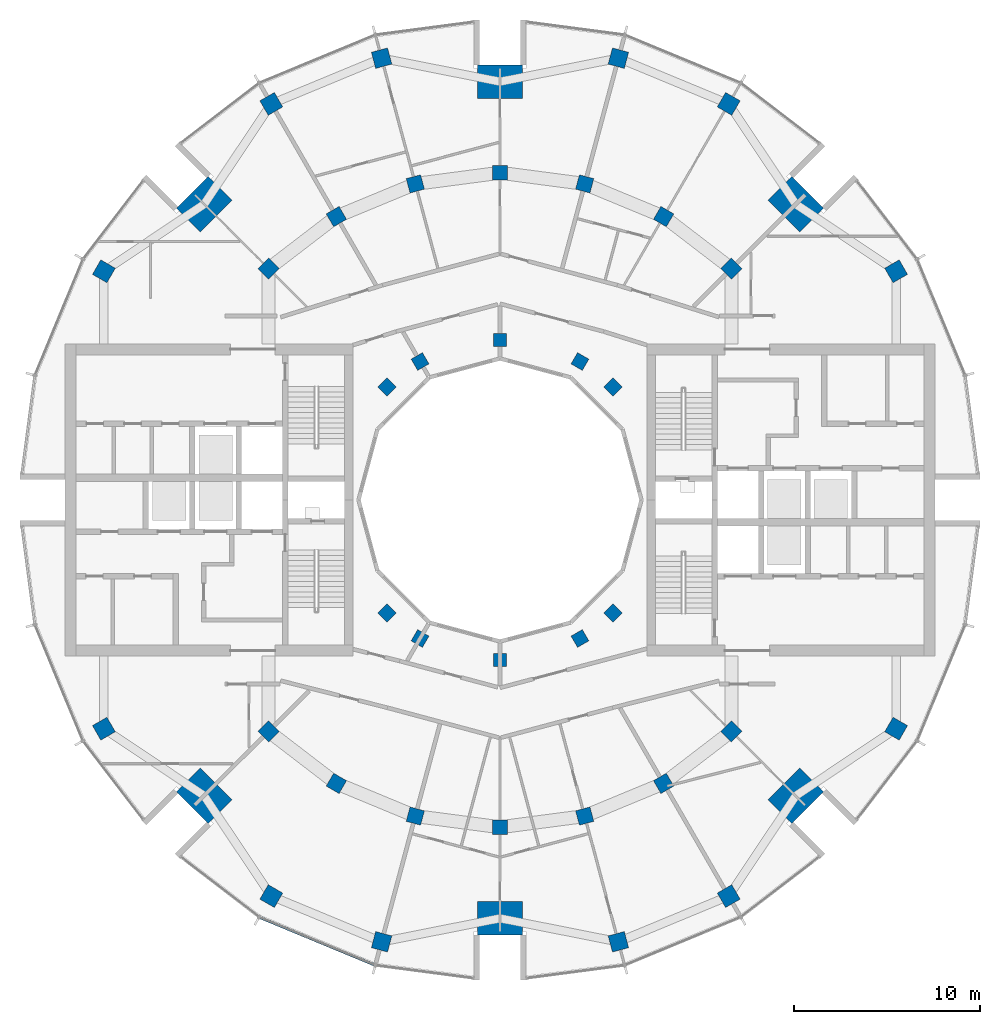
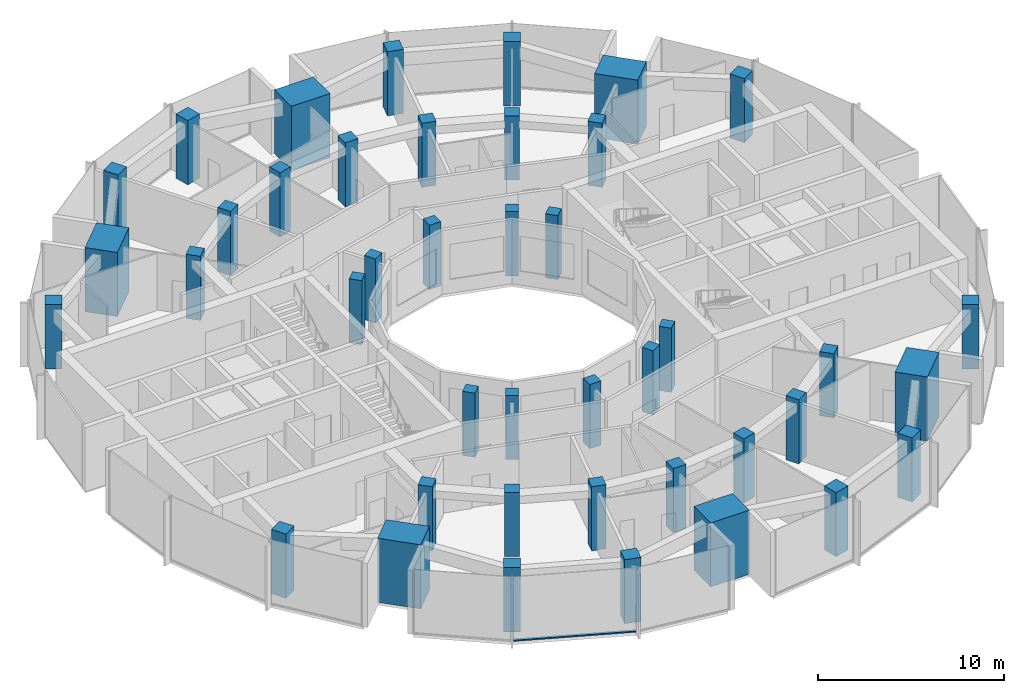
# One storey, part 1 of 15: 42 columns, 1 member, 1 element without a shape of its own.
"""IFC4 building model written with IfcOpenShell, lengths in metres."""

from ifc_helpers import new_model, si_unit, direction, frame, origin, origin_2d, place, context, subcontext, project, spatial, rectangle, extrude, material, layer, layer_set, material_profile, profile_set, type_object, element, aggregate, save


model = new_model("IFC4")

# Units and contexts
model_context = context("Model", 3, precision=1e-05, world=origin(), true_north=direction((0.0, 1.0)))
body_context = subcontext(model_context, "Body", "Model", "MODEL_VIEW")
ifc_project = project(units=[si_unit("LENGTHUNIT", "METRE"), si_unit("AREAUNIT", "SQUARE_METRE"), si_unit("VOLUMEUNIT", "CUBIC_METRE"), si_unit("PLANEANGLEUNIT", "RADIAN"), si_unit("MASSUNIT", "GRAM", prefix="KILO")], contexts=[model_context])

# Site, building, storey
site_placement = place(None, origin())
site = spatial("IfcSite", under=ifc_project, at=site_placement, CompositionType="ELEMENT")
building_placement = place(site_placement, origin())
building = spatial("IfcBuilding", under=site, at=building_placement, Name="Torre Brocal", CompositionType="ELEMENT")
storey_placement = place(building_placement, frame((0.0, 0.0, 262.5)))
storey = spatial("IfcBuildingStorey", under=building, at=storey_placement, Name="L60", CompositionType="ELEMENT", Elevation=262.5)

# Columns
ifc_material_1 = material(Name="Concrete C60", Category="concrete")
ifc_material_profile_1 = material_profile(ifc_material_1, rectangle(XDim=1.800048828125, YDim=2.39990234375, at=origin_2d()), Name="RC 1800X2400")
ifc_profile_set_1 = profile_set([ifc_material_profile_1], Name="Concrete C60")
column_type_1 = type_object("IfcColumnType", Name="RC COLUMN 1800X2400 C60", PredefinedType="COLUMN", material=ifc_profile_set_1)
for number, where, z_axis, x_axis, name in (
    (1, (95.909912109375, 90.909912109375, 0.0), (0.0, 0.0, 1.0), (0.707106781187, 0.707106781187, 0.0), "Column MC-1"),
    (2, (80.0, 97.5, 0.0), (0.0, 0.0, 1.0), (0.0, 1.0, 0.0), "Column MC-2"),
    (3, (64.090087890625, 90.909912109375, 0.0), (0.0, 0.0, 1.0), (-0.707106781187, 0.707106781187, 0.0), "Column MC-3"),
    (4, (64.090087890625, 59.090087890625, 0.0), (0.0, 0.0, 1.0), (-0.707106781187, -0.707106781187, 0.0), "Column MC-5"),
    (5, (80.0, 52.5, 0.0), (0.0, 0.0, 1.0), (0.0, -1.0, 0.0), "Column MC-6"),
    (6, (95.909912109375, 59.090087890625, 0.0), (0.0, 0.0, 1.0), (0.707106781187, -0.707106781187, 0.0), "Column MC-7"),
):
    element("IfcColumn", number, at=place(storey_placement, frame(where, z_axis=z_axis, x_axis=x_axis)), inside=storey, type_object=column_type_1, Name=name, PredefinedType="COLUMN", context=body_context, shape_type="SweptSolid", body=[
        extrude(rectangle(XDim=1.800048828125, YDim=2.39990234375, at=origin_2d()), origin(), (0.0, 0.0, 1.0), 4.199951171875),
    ])
ifc_material_2 = material(Name="Concrete C60", Category="concrete")
ifc_material_profile_2 = material_profile(ifc_material_2, rectangle(XDim=0.699951171875, YDim=0.699951171875, at=origin_2d()), Name="RC 700X700")
ifc_profile_set_2 = profile_set([ifc_material_profile_2], Name="Concrete C60")
column_type_2 = type_object("IfcColumnType", Name="RC COLUMN 700X700 C60", PredefinedType="COLUMN", material=ifc_profile_set_2)
for number, where, z_axis, x_axis, name in (
    (7, (86.0810546875, 81.0810546875, 0.0), (0.0, 0.0, 1.0), (0.707106781187, 0.707106781187, 0.0), "Column C-I03"),
    (8, (84.300048828125, 82.44775390625, 0.0), (0.0, 0.0, 1.0), (0.5, 0.866025403784, 0.0), "Column C-I04"),
    (9, (80.0, 83.60009765625, 0.0), (0.0, 0.0, 1.0), (0.0, 1.0, 0.0), "Column C-I06"),
    (10, (75.699951171875, 82.44775390625, 0.0), (0.0, 0.0, 1.0), (-0.5, 0.866025403784, 0.0), "Column C-I08"),
    (11, (73.9189453125, 81.0810546875, 0.0), (0.0, 0.0, 1.0), (-0.707106781187, 0.707106781187, 0.0), "Column C-I09"),
    (12, (73.9189453125, 68.9189453125, 0.0), (0.0, 0.0, 1.0), (-0.707106781187, -0.707106781187, 0.0), "Column C-I15"),
    (13, (75.699951171875, 67.55224609375, 0.0), (0.0, 0.0, 1.0), (-0.5, -0.866025403784, 0.0), "Column C-I16"),
    (14, (80.0, 66.39990234375, 0.0), (0.0, 0.0, 1.0), (0.0, -1.0, 0.0), "Column C-I18"),
    (15, (84.300048828125, 67.55224609375, 0.0), (0.0, 0.0, 1.0), (0.5, -0.866025403784, 0.0), "Column C-I20"),
    (16, (86.0810546875, 68.9189453125, 0.0), (0.0, 0.0, 1.0), (0.707106781187, -0.707106781187, 0.0), "Column C-I21"),
):
    element("IfcColumn", number, at=place(storey_placement, frame(where, z_axis=z_axis, x_axis=x_axis)), inside=storey, type_object=column_type_2, Name=name, PredefinedType="COLUMN", context=body_context, shape_type="SweptSolid", body=[
        extrude(rectangle(XDim=0.699951171875, YDim=0.699951171875, at=origin_2d()), origin(), (0.0, 0.0, 1.0), 4.199951171875),
    ])
ifc_material_3 = material(Name="Concrete C60", Category="concrete")
ifc_material_profile_3 = material_profile(ifc_material_3, rectangle(XDim=0.800048828125, YDim=0.800048828125, at=origin_2d()), Name="RC 800X800")
ifc_profile_set_3 = profile_set([ifc_material_profile_3], Name="Concrete C60")
column_type_3 = type_object("IfcColumnType", Name="RC COLUMN 800X800 C60", PredefinedType="COLUMN", material=ifc_profile_set_3)
for number, where, z_axis, x_axis, name in (
    (17, (92.445068359375, 87.445068359375, 0.0), (0.0, 0.0, 1.0), (0.707106781187, 0.707106781187, 0.0), "Column C-M03"),
    (18, (88.800048828125, 90.241943359375, 0.0), (0.0, 0.0, 1.0), (0.5, 0.866025403784, 0.0), "Column C-M04"),
    (19, (84.55517578125, 92.000244140625, 0.0), (0.0, 0.0, 1.0), (0.258819045103, 0.965925826289, 0.0), "Column C-M05"),
    (20, (80.0, 92.60009765625, 0.0), (0.0, 0.0, 1.0), (0.0, 1.0, 0.0), "Column C-M06"),
    (21, (75.44482421875, 92.000244140625, 0.0), (0.0, 0.0, 1.0), (-0.258819045103, 0.965925826289, 0.0), "Column C-M07"),
    (22, (71.199951171875, 90.241943359375, 0.0), (0.0, 0.0, 1.0), (-0.5, 0.866025403784, 0.0), "Column C-M08"),
    (23, (67.554931640625, 87.445068359375, 0.0), (0.0, 0.0, 1.0), (-0.707106781187, 0.707106781187, 0.0), "Column C-M09"),
    (24, (67.554931640625, 62.554931640625, 0.0), (0.0, 0.0, 1.0), (-0.707106781187, -0.707106781187, 0.0), "Column C-M15"),
    (25, (71.199951171875, 59.758056640625, 0.0), (0.0, 0.0, 1.0), (-0.5, -0.866025403784, 0.0), "Column C-M16"),
    (26, (75.44482421875, 57.999755859375, 0.0), (0.0, 0.0, 1.0), (-0.258819045103, -0.965925826289, 0.0), "Column C-M17"),
    (27, (80.0, 57.39990234375, 0.0), (0.0, 0.0, 1.0), (0.0, -1.0, 0.0), "Column C-M18"),
    (28, (84.55517578125, 57.999755859375, 0.0), (0.0, 0.0, 1.0), (0.258819045103, -0.965925826289, 0.0), "Column C-M19"),
    (29, (88.800048828125, 59.758056640625, 0.0), (0.0, 0.0, 1.0), (0.5, -0.866025403784, 0.0), "Column C-M20"),
    (30, (92.445068359375, 62.554931640625, 0.0), (0.0, 0.0, 1.0), (0.707106781187, -0.707106781187, 0.0), "Column C-M21"),
):
    element("IfcColumn", number, at=place(storey_placement, frame(where, z_axis=z_axis, x_axis=x_axis)), inside=storey, type_object=column_type_3, Name=name, PredefinedType="COLUMN", context=body_context, shape_type="SweptSolid", body=[
        extrude(rectangle(XDim=0.800048828125, YDim=0.800048828125, at=origin_2d()), origin(), (0.0, 0.0, 1.0), 4.199951171875),
    ])
ifc_material_4 = material(Name="Concrete C60", Category="concrete")
ifc_material_profile_4 = material_profile(ifc_material_4, rectangle(XDim=0.89990234375, YDim=0.89990234375, at=origin_2d()), Name="RC 900X900")
ifc_profile_set_4 = profile_set([ifc_material_profile_4], Name="Concrete C60")
column_type_4 = type_object("IfcColumnType", Name="RC COLUMN 900X900 C60", PredefinedType="COLUMN", material=ifc_profile_set_4)
for number, where, z_axis, x_axis, name in (
    (31, (101.30419921875, 87.300048828125, 0.0), (0.0, 0.0, 1.0), (0.866025403784, 0.5, 0.0), "Column C-O02"),
    (32, (92.300048828125, 96.30419921875, 0.0), (0.0, 0.0, 1.0), (0.5, 0.866025403784, 0.0), "Column C-O04"),
    (33, (86.366943359375, 98.76171875, 0.0), (0.0, 0.0, 1.0), (0.258819045103, 0.965925826289, 0.0), "Column C-O05"),
    (34, (73.633056640625, 98.76171875, 0.0), (0.0, 0.0, 1.0), (-0.258819045103, 0.965925826289, 0.0), "Column C-O07"),
    (35, (67.699951171875, 96.30419921875, 0.0), (0.0, 0.0, 1.0), (-0.5, 0.866025403784, 0.0), "Column C-O08"),
    (36, (58.69580078125, 87.300048828125, 0.0), (0.0, 0.0, 1.0), (-0.866025403784, 0.5, 0.0), "Column C-O10"),
    (37, (58.69580078125, 62.699951171875, 0.0), (0.0, 0.0, 1.0), (-0.866025403784, -0.5, 0.0), "Column C-O14"),
    (38, (67.699951171875, 53.69580078125, 0.0), (0.0, 0.0, 1.0), (-0.5, -0.866025403784, 0.0), "Column C-O16"),
    (39, (73.633056640625, 51.23828125, 0.0), (0.0, 0.0, 1.0), (-0.258819045103, -0.965925826289, 0.0), "Column C-O17"),
    (40, (86.366943359375, 51.23828125, 0.0), (0.0, 0.0, 1.0), (0.258819045103, -0.965925826289, 0.0), "Column C-O19"),
    (41, (92.300048828125, 53.69580078125, 0.0), (0.0, 0.0, 1.0), (0.5, -0.866025403784, 0.0), "Column C-O20"),
    (42, (101.30419921875, 62.699951171875, 0.0), (0.0, 0.0, 1.0), (0.866025403784, -0.5, 0.0), "Column C-O22"),
):
    element("IfcColumn", number, at=place(storey_placement, frame(where, z_axis=z_axis, x_axis=x_axis)), inside=storey, type_object=column_type_4, Name=name, PredefinedType="COLUMN", context=body_context, shape_type="SweptSolid", body=[
        extrude(rectangle(XDim=0.89990234375, YDim=0.89990234375, at=origin_2d()), origin(), (0.0, 0.0, 1.0), 4.199951171875),
    ])

# Curtain wall, member
ifc_material_5 = material(Name="Aluminium and glass", Category="aluminium")
ifc_layer = layer(ifc_material_5, 0.199951171875)
ifc_layer_set = layer_set([ifc_layer], Name="Aluminium and glass")
curtain_wall_type = type_object("IfcCurtainWallType", Name="CW-1 CURTAIN WALL 4200 HIGH", PredefinedType="NOTDEFINED", material=ifc_layer_set)
curtain_wall_placement = place(storey_placement, origin())
curtain_wall = element("IfcCurtainWall", 43, at=curtain_wall_placement, inside=storey, type_object=curtain_wall_type, Name="CW-1 RUN 17", PredefinedType="NOTDEFINED")
ifc_material_6 = material(Name="Aluminium, dark anodised", Category="aluminium")
ifc_material_profile_5 = material_profile(ifc_material_6, rectangle(XDim=0.159912109375, YDim=0.080078125, at=origin_2d()), Name="CW-1 TRANSOM 160X80")
ifc_profile_set_5 = profile_set([ifc_material_profile_5], Name="Aluminium, dark anodised")
member_type = type_object("IfcMemberType", Name="CW-1 TRANSOM 160X80", PredefinedType="USERDEFINED", material=ifc_profile_set_5)
member_placement = place(storey_placement, frame((67.10595703125, 52.547607421875, 0.0400390625), z_axis=(0.923887344364, -0.38266457234, 0.0), x_axis=(0.38266457234, 0.923887344364, 0.0)))
member = element("IfcMember", 44, at=member_placement, type_object=member_type, Name="CW1-5 transom 1.1", ObjectType="TRANSOM", PredefinedType="USERDEFINED", context=body_context, shape_type="SweptSolid", body=[
    extrude(rectangle(XDim=0.159912109375, YDim=0.080078125, at=origin_2d()), origin(), (0.0, 0.0, 1.0), 6.640869140625),
])
aggregate(curtain_wall, [member])

save(model, "model.ifc")
